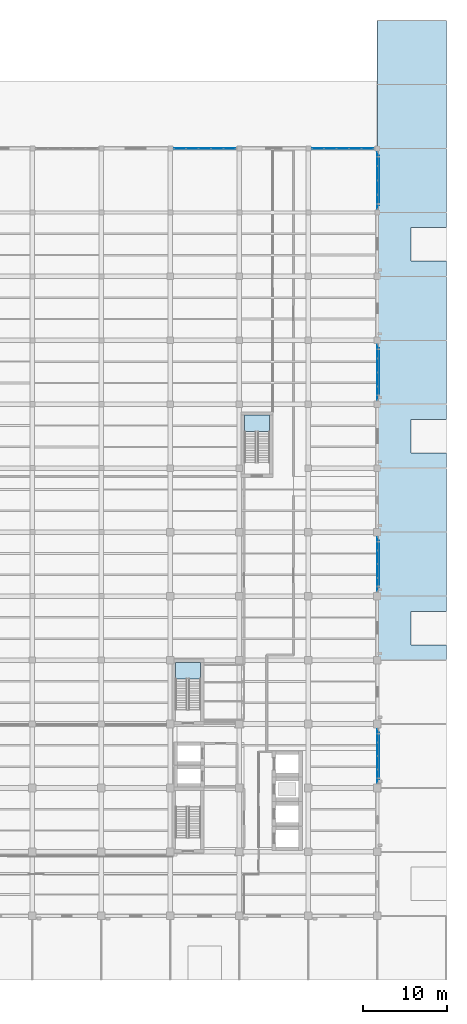
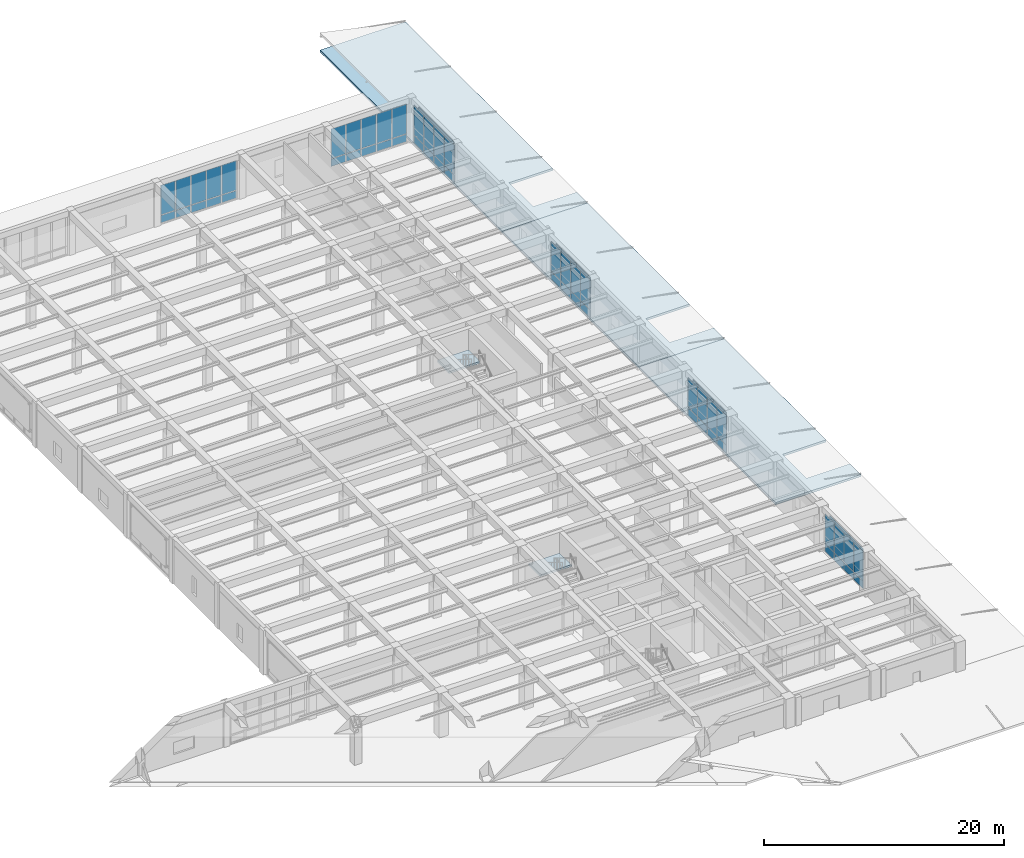
# One storey, part 35 of 57: 56 plates, 5 slabs, 8 elements without a shape of their own.
"""IFC4 building model written with IfcOpenShell, lengths in metres."""

from ifc_helpers import new_model, si_unit, direction, frame, origin, origin_2d, place, context, subcontext, project, spatial, polyline, rectangle, outline, extrude, material, layer, layer_set, type_object, element, aggregate, save


model = new_model("IFC4")

# Units and contexts
model_context = context("Model", 3, precision=1e-05, world=origin(), true_north=direction((0.0, 1.0)))
body_context = subcontext(model_context, "Body", "Model", "MODEL_VIEW")
ifc_project = project(units=[si_unit("LENGTHUNIT", "METRE"), si_unit("AREAUNIT", "SQUARE_METRE"), si_unit("VOLUMEUNIT", "CUBIC_METRE"), si_unit("PLANEANGLEUNIT", "RADIAN"), si_unit("MASSUNIT", "GRAM", prefix="KILO")], contexts=[model_context])

# Site, building, storey
site_placement = place(None, origin())
site = spatial("IfcSite", under=ifc_project, at=site_placement, CompositionType="ELEMENT")
building_placement = place(site_placement, origin())
building = spatial("IfcBuilding", under=site, at=building_placement, Name="Qandaris Square Conservatory and Botanical Centre", CompositionType="ELEMENT")
storey_placement = place(building_placement, frame((0.0, 0.0, 5.39990234375)))
storey = spatial("IfcBuildingStorey", under=building, at=storey_placement, Name="L01", CompositionType="ELEMENT", Elevation=5.39990234375)

# Curtain wall, plates
ifc_material_1 = material(Name="Anodised Aluminium", Category="aluminium")
curtain_wall_type_1 = type_object("IfcCurtainWallType", Name="Unitised Curtain Wall CW-4-650x394", PredefinedType="USERDEFINED", material=ifc_material_1)
curtain_wall_1_placement = place(storey_placement, origin())
curtain_wall_1 = element("IfcCurtainWall", 1, at=curtain_wall_1_placement, inside=storey, type_object=curtain_wall_type_1, Name="Curtain Wall CW-TWR-L01-2-3", ObjectType="GLAZED CURTAIN WALL", PredefinedType="USERDEFINED")
ifc_material_2 = material(Name="Tempered Low-E Glass", Category="glass")
ifc_layer_1 = layer(ifc_material_2, 0.035888671875)
ifc_layer_set_1 = layer_set([ifc_layer_1], Name="Tempered Low-E Glass")
plate_type_1 = type_object("IfcPlateType", Name="Double-Glazed Solar Control Vision Unit 36mm", PredefinedType="CURTAIN_PANEL", material=ifc_layer_set_1)
plate_1_placement = place(storey_placement, frame((163.800048828125, 33.1787109375, 0.065185546875), z_axis=(0.0, 0.0, 1.0), x_axis=(0.0, 1.0, 0.0)))
plate_1 = element("IfcPlate", 2, at=plate_1_placement, type_object=plate_type_1, Name="CW-4-650x394 panel 1.1", PredefinedType="CURTAIN_PANEL", context=body_context, shape_type="SweptSolid", body=[
    extrude(rectangle(XDim=1.527587890625, YDim=0.035888671875, at=origin_2d()), origin(), (0.0, 0.0, 1.0), 0.75244140625),
])
plate_2_placement = place(storey_placement, frame((163.800048828125, 33.1787109375, 0.882568359375), z_axis=(0.0, 0.0, 1.0), x_axis=(0.0, 1.0, 0.0)))
plate_2 = element("IfcPlate", 3, at=plate_2_placement, type_object=plate_type_1, Name="CW-4-650x394 panel 1.2", PredefinedType="CURTAIN_PANEL", context=body_context, shape_type="SweptSolid", body=[
    extrude(rectangle(XDim=1.527587890625, YDim=0.035888671875, at=origin_2d()), origin(), (0.0, 0.0, 1.0), 2.99755859375),
])
plate_3_placement = place(storey_placement, frame((163.800048828125, 34.78759765625, 0.065185546875), z_axis=(0.0, 0.0, 1.0), x_axis=(0.0, 1.0, 0.0)))
plate_3 = element("IfcPlate", 4, at=plate_3_placement, type_object=plate_type_1, Name="CW-4-650x394 panel 2.1", PredefinedType="CURTAIN_PANEL", context=body_context, shape_type="SweptSolid", body=[
    extrude(rectangle(XDim=1.56005859375, YDim=0.035888671875, at=origin_2d()), origin(), (0.0, 0.0, 1.0), 0.75244140625),
])
plate_4_placement = place(storey_placement, frame((163.800048828125, 34.78759765625, 0.882568359375), z_axis=(0.0, 0.0, 1.0), x_axis=(0.0, 1.0, 0.0)))
plate_4 = element("IfcPlate", 5, at=plate_4_placement, type_object=plate_type_1, Name="CW-4-650x394 panel 2.2", PredefinedType="CURTAIN_PANEL", context=body_context, shape_type="SweptSolid", body=[
    extrude(rectangle(XDim=1.56005859375, YDim=0.035888671875, at=origin_2d()), origin(), (0.0, 0.0, 1.0), 2.99755859375),
])
plate_5_placement = place(storey_placement, frame((163.800048828125, 36.41259765625, 0.065185546875), z_axis=(0.0, 0.0, 1.0), x_axis=(0.0, 1.0, 0.0)))
plate_5 = element("IfcPlate", 6, at=plate_5_placement, type_object=plate_type_1, Name="CW-4-650x394 panel 3.1", PredefinedType="CURTAIN_PANEL", context=body_context, shape_type="SweptSolid", body=[
    extrude(rectangle(XDim=1.56005859375, YDim=0.035888671875, at=origin_2d()), origin(), (0.0, 0.0, 1.0), 0.75244140625),
])
plate_6_placement = place(storey_placement, frame((163.800048828125, 36.41259765625, 0.882568359375), z_axis=(0.0, 0.0, 1.0), x_axis=(0.0, 1.0, 0.0)))
plate_6 = element("IfcPlate", 7, at=plate_6_placement, type_object=plate_type_1, Name="CW-4-650x394 panel 3.2", PredefinedType="CURTAIN_PANEL", context=body_context, shape_type="SweptSolid", body=[
    extrude(rectangle(XDim=1.56005859375, YDim=0.035888671875, at=origin_2d()), origin(), (0.0, 0.0, 1.0), 2.99755859375),
])
plate_7_placement = place(storey_placement, frame((163.800048828125, 38.021240234375, 0.065185546875), z_axis=(0.0, 0.0, 1.0), x_axis=(0.0, 1.0, 0.0)))
plate_7 = element("IfcPlate", 8, at=plate_7_placement, type_object=plate_type_1, Name="CW-4-650x394 panel 4.1", PredefinedType="CURTAIN_PANEL", context=body_context, shape_type="SweptSolid", body=[
    extrude(rectangle(XDim=1.527587890625, YDim=0.035888671875, at=origin_2d()), origin(), (0.0, 0.0, 1.0), 0.75244140625),
])
plate_8_placement = place(storey_placement, frame((163.800048828125, 38.021240234375, 0.882568359375), z_axis=(0.0, 0.0, 1.0), x_axis=(0.0, 1.0, 0.0)))
plate_8 = element("IfcPlate", 9, at=plate_8_placement, type_object=plate_type_1, Name="CW-4-650x394 panel 4.2", PredefinedType="CURTAIN_PANEL", context=body_context, shape_type="SweptSolid", body=[
    extrude(rectangle(XDim=1.527587890625, YDim=0.035888671875, at=origin_2d()), origin(), (0.0, 0.0, 1.0), 2.99755859375),
])
aggregate(curtain_wall_1, [plate_1, plate_2, plate_3, plate_4, plate_5, plate_6, plate_7, plate_8])

curtain_wall_2_placement = place(storey_placement, origin())
curtain_wall_2 = element("IfcCurtainWall", 10, at=curtain_wall_2_placement, inside=storey, type_object=curtain_wall_type_1, Name="Curtain Wall CW-TWR-L01-2-6", ObjectType="GLAZED CURTAIN WALL", PredefinedType="USERDEFINED")
plate_9_placement = place(storey_placement, frame((163.800048828125, 55.978759765625, 0.065185546875), z_axis=(0.0, 0.0, 1.0), x_axis=(0.0, 1.0, 0.0)))
plate_9 = element("IfcPlate", 11, at=plate_9_placement, type_object=plate_type_1, Name="CW-4-650x394 panel 1.1", PredefinedType="CURTAIN_PANEL", context=body_context, shape_type="SweptSolid", body=[
    extrude(rectangle(XDim=1.527587890625, YDim=0.035888671875, at=origin_2d()), origin(), (0.0, 0.0, 1.0), 0.75244140625),
])
plate_10_placement = place(storey_placement, frame((163.800048828125, 55.978759765625, 0.882568359375), z_axis=(0.0, 0.0, 1.0), x_axis=(0.0, 1.0, 0.0)))
plate_10 = element("IfcPlate", 12, at=plate_10_placement, type_object=plate_type_1, Name="CW-4-650x394 panel 1.2", PredefinedType="CURTAIN_PANEL", context=body_context, shape_type="SweptSolid", body=[
    extrude(rectangle(XDim=1.527587890625, YDim=0.035888671875, at=origin_2d()), origin(), (0.0, 0.0, 1.0), 2.99755859375),
])
plate_11_placement = place(storey_placement, frame((163.800048828125, 57.58740234375, 0.065185546875), z_axis=(0.0, 0.0, 1.0), x_axis=(0.0, 1.0, 0.0)))
plate_11 = element("IfcPlate", 13, at=plate_11_placement, type_object=plate_type_1, Name="CW-4-650x394 panel 2.1", PredefinedType="CURTAIN_PANEL", context=body_context, shape_type="SweptSolid", body=[
    extrude(rectangle(XDim=1.56005859375, YDim=0.035888671875, at=origin_2d()), origin(), (0.0, 0.0, 1.0), 0.75244140625),
])
plate_12_placement = place(storey_placement, frame((163.800048828125, 57.58740234375, 0.882568359375), z_axis=(0.0, 0.0, 1.0), x_axis=(0.0, 1.0, 0.0)))
plate_12 = element("IfcPlate", 14, at=plate_12_placement, type_object=plate_type_1, Name="CW-4-650x394 panel 2.2", PredefinedType="CURTAIN_PANEL", context=body_context, shape_type="SweptSolid", body=[
    extrude(rectangle(XDim=1.56005859375, YDim=0.035888671875, at=origin_2d()), origin(), (0.0, 0.0, 1.0), 2.99755859375),
])
plate_13_placement = place(storey_placement, frame((163.800048828125, 59.21240234375, 0.065185546875), z_axis=(0.0, 0.0, 1.0), x_axis=(0.0, 1.0, 0.0)))
plate_13 = element("IfcPlate", 15, at=plate_13_placement, type_object=plate_type_1, Name="CW-4-650x394 panel 3.1", PredefinedType="CURTAIN_PANEL", context=body_context, shape_type="SweptSolid", body=[
    extrude(rectangle(XDim=1.56005859375, YDim=0.035888671875, at=origin_2d()), origin(), (0.0, 0.0, 1.0), 0.75244140625),
])
plate_14_placement = place(storey_placement, frame((163.800048828125, 59.21240234375, 0.882568359375), z_axis=(0.0, 0.0, 1.0), x_axis=(0.0, 1.0, 0.0)))
plate_14 = element("IfcPlate", 16, at=plate_14_placement, type_object=plate_type_1, Name="CW-4-650x394 panel 3.2", PredefinedType="CURTAIN_PANEL", context=body_context, shape_type="SweptSolid", body=[
    extrude(rectangle(XDim=1.56005859375, YDim=0.035888671875, at=origin_2d()), origin(), (0.0, 0.0, 1.0), 2.99755859375),
])
plate_15_placement = place(storey_placement, frame((163.800048828125, 60.8212890625, 0.065185546875), z_axis=(0.0, 0.0, 1.0), x_axis=(0.0, 1.0, 0.0)))
plate_15 = element("IfcPlate", 17, at=plate_15_placement, type_object=plate_type_1, Name="CW-4-650x394 panel 4.1", PredefinedType="CURTAIN_PANEL", context=body_context, shape_type="SweptSolid", body=[
    extrude(rectangle(XDim=1.527587890625, YDim=0.035888671875, at=origin_2d()), origin(), (0.0, 0.0, 1.0), 0.75244140625),
])
plate_16_placement = place(storey_placement, frame((163.800048828125, 60.8212890625, 0.882568359375), z_axis=(0.0, 0.0, 1.0), x_axis=(0.0, 1.0, 0.0)))
plate_16 = element("IfcPlate", 18, at=plate_16_placement, type_object=plate_type_1, Name="CW-4-650x394 panel 4.2", PredefinedType="CURTAIN_PANEL", context=body_context, shape_type="SweptSolid", body=[
    extrude(rectangle(XDim=1.527587890625, YDim=0.035888671875, at=origin_2d()), origin(), (0.0, 0.0, 1.0), 2.99755859375),
])
aggregate(curtain_wall_2, [plate_9, plate_10, plate_11, plate_12, plate_13, plate_14, plate_15, plate_16])

curtain_wall_type_2 = type_object("IfcCurtainWallType", Name="Unitised Curtain Wall CW-4-665x394", PredefinedType="USERDEFINED", material=ifc_material_1)
curtain_wall_3_placement = place(storey_placement, origin())
curtain_wall_3 = element("IfcCurtainWall", 19, at=curtain_wall_3_placement, inside=storey, type_object=curtain_wall_type_2, Name="Curtain Wall CW-TWR-L01-2-9", ObjectType="GLAZED CURTAIN WALL", PredefinedType="USERDEFINED")
plate_17_placement = place(storey_placement, frame((163.800048828125, 78.722412109375, 0.065185546875), z_axis=(0.0, 0.0, 1.0), x_axis=(0.0, 1.0, 0.0)))
plate_17 = element("IfcPlate", 20, at=plate_17_placement, type_object=plate_type_1, Name="CW-4-665x394 panel 1.1", PredefinedType="CURTAIN_PANEL", context=body_context, shape_type="SweptSolid", body=[
    extrude(rectangle(XDim=1.56494140625, YDim=0.035888671875, at=origin_2d()), origin(), (0.0, 0.0, 1.0), 0.75244140625),
])
plate_18_placement = place(storey_placement, frame((163.800048828125, 78.722412109375, 0.882568359375), z_axis=(0.0, 0.0, 1.0), x_axis=(0.0, 1.0, 0.0)))
plate_18 = element("IfcPlate", 21, at=plate_18_placement, type_object=plate_type_1, Name="CW-4-665x394 panel 1.2", PredefinedType="CURTAIN_PANEL", context=body_context, shape_type="SweptSolid", body=[
    extrude(rectangle(XDim=1.56494140625, YDim=0.035888671875, at=origin_2d()), origin(), (0.0, 0.0, 1.0), 2.99755859375),
])
plate_19_placement = place(storey_placement, frame((163.800048828125, 80.36865234375, 0.065185546875), z_axis=(0.0, 0.0, 1.0), x_axis=(0.0, 1.0, 0.0)))
plate_19 = element("IfcPlate", 22, at=plate_19_placement, type_object=plate_type_1, Name="CW-4-665x394 panel 2.1", PredefinedType="CURTAIN_PANEL", context=body_context, shape_type="SweptSolid", body=[
    extrude(rectangle(XDim=1.597412109375, YDim=0.035888671875, at=origin_2d()), origin(), (0.0, 0.0, 1.0), 0.75244140625),
])
plate_20_placement = place(storey_placement, frame((163.800048828125, 80.36865234375, 0.882568359375), z_axis=(0.0, 0.0, 1.0), x_axis=(0.0, 1.0, 0.0)))
plate_20 = element("IfcPlate", 23, at=plate_20_placement, type_object=plate_type_1, Name="CW-4-665x394 panel 2.2", PredefinedType="CURTAIN_PANEL", context=body_context, shape_type="SweptSolid", body=[
    extrude(rectangle(XDim=1.597412109375, YDim=0.035888671875, at=origin_2d()), origin(), (0.0, 0.0, 1.0), 2.99755859375),
])
plate_21_placement = place(storey_placement, frame((163.800048828125, 82.03125, 0.065185546875), z_axis=(0.0, 0.0, 1.0), x_axis=(0.0, 1.0, 0.0)))
plate_21 = element("IfcPlate", 24, at=plate_21_placement, type_object=plate_type_1, Name="CW-4-665x394 panel 3.1", PredefinedType="CURTAIN_PANEL", context=body_context, shape_type="SweptSolid", body=[
    extrude(rectangle(XDim=1.597412109375, YDim=0.035888671875, at=origin_2d()), origin(), (0.0, 0.0, 1.0), 0.75244140625),
])
plate_22_placement = place(storey_placement, frame((163.800048828125, 82.03125, 0.882568359375), z_axis=(0.0, 0.0, 1.0), x_axis=(0.0, 1.0, 0.0)))
plate_22 = element("IfcPlate", 25, at=plate_22_placement, type_object=plate_type_1, Name="CW-4-665x394 panel 3.2", PredefinedType="CURTAIN_PANEL", context=body_context, shape_type="SweptSolid", body=[
    extrude(rectangle(XDim=1.597412109375, YDim=0.035888671875, at=origin_2d()), origin(), (0.0, 0.0, 1.0), 2.99755859375),
])
plate_23_placement = place(storey_placement, frame((163.800048828125, 83.677490234375, 0.065185546875), z_axis=(0.0, 0.0, 1.0), x_axis=(0.0, 1.0, 0.0)))
plate_23 = element("IfcPlate", 26, at=plate_23_placement, type_object=plate_type_1, Name="CW-4-665x394 panel 4.1", PredefinedType="CURTAIN_PANEL", context=body_context, shape_type="SweptSolid", body=[
    extrude(rectangle(XDim=1.56494140625, YDim=0.035888671875, at=origin_2d()), origin(), (0.0, 0.0, 1.0), 0.75244140625),
])
plate_24_placement = place(storey_placement, frame((163.800048828125, 83.677490234375, 0.882568359375), z_axis=(0.0, 0.0, 1.0), x_axis=(0.0, 1.0, 0.0)))
plate_24 = element("IfcPlate", 27, at=plate_24_placement, type_object=plate_type_1, Name="CW-4-665x394 panel 4.2", PredefinedType="CURTAIN_PANEL", context=body_context, shape_type="SweptSolid", body=[
    extrude(rectangle(XDim=1.56494140625, YDim=0.035888671875, at=origin_2d()), origin(), (0.0, 0.0, 1.0), 2.99755859375),
])
aggregate(curtain_wall_3, [plate_17, plate_18, plate_19, plate_20, plate_21, plate_22, plate_23, plate_24])

curtain_wall_type_3 = type_object("IfcCurtainWallType", Name="Unitised Curtain Wall CW-4-680x394", PredefinedType="USERDEFINED", material=ifc_material_1)
curtain_wall_4_placement = place(storey_placement, origin())
curtain_wall_4 = element("IfcCurtainWall", 28, at=curtain_wall_4_placement, inside=storey, type_object=curtain_wall_type_3, Name="Curtain Wall CW-TWR-L01-2-12", ObjectType="GLAZED CURTAIN WALL", PredefinedType="USERDEFINED")
plate_25_placement = place(storey_placement, frame((163.800048828125, 101.46630859375, 0.065185546875), z_axis=(0.0, 0.0, 1.0), x_axis=(0.0, 1.0, 0.0)))
plate_25 = element("IfcPlate", 29, at=plate_25_placement, type_object=plate_type_1, Name="CW-4-680x394 panel 1.1", PredefinedType="CURTAIN_PANEL", context=body_context, shape_type="SweptSolid", body=[
    extrude(rectangle(XDim=1.6025390625, YDim=0.035888671875, at=origin_2d()), origin(), (0.0, 0.0, 1.0), 0.75244140625),
])
plate_26_placement = place(storey_placement, frame((163.800048828125, 101.46630859375, 0.882568359375), z_axis=(0.0, 0.0, 1.0), x_axis=(0.0, 1.0, 0.0)))
plate_26 = element("IfcPlate", 30, at=plate_26_placement, type_object=plate_type_1, Name="CW-4-680x394 panel 1.2", PredefinedType="CURTAIN_PANEL", context=body_context, shape_type="SweptSolid", body=[
    extrude(rectangle(XDim=1.6025390625, YDim=0.035888671875, at=origin_2d()), origin(), (0.0, 0.0, 1.0), 2.99755859375),
])
plate_27_placement = place(storey_placement, frame((163.800048828125, 103.14990234375, 0.065185546875), z_axis=(0.0, 0.0, 1.0), x_axis=(0.0, 1.0, 0.0)))
plate_27 = element("IfcPlate", 31, at=plate_27_placement, type_object=plate_type_1, Name="CW-4-680x394 panel 2.1", PredefinedType="CURTAIN_PANEL", context=body_context, shape_type="SweptSolid", body=[
    extrude(rectangle(XDim=1.635009765625, YDim=0.035888671875, at=origin_2d()), origin(), (0.0, 0.0, 1.0), 0.75244140625),
])
plate_28_placement = place(storey_placement, frame((163.800048828125, 103.14990234375, 0.882568359375), z_axis=(0.0, 0.0, 1.0), x_axis=(0.0, 1.0, 0.0)))
plate_28 = element("IfcPlate", 32, at=plate_28_placement, type_object=plate_type_1, Name="CW-4-680x394 panel 2.2", PredefinedType="CURTAIN_PANEL", context=body_context, shape_type="SweptSolid", body=[
    extrude(rectangle(XDim=1.635009765625, YDim=0.035888671875, at=origin_2d()), origin(), (0.0, 0.0, 1.0), 2.99755859375),
])
plate_29_placement = place(storey_placement, frame((163.800048828125, 104.85009765625, 0.065185546875), z_axis=(0.0, 0.0, 1.0), x_axis=(0.0, 1.0, 0.0)))
plate_29 = element("IfcPlate", 33, at=plate_29_placement, type_object=plate_type_1, Name="CW-4-680x394 panel 3.1", PredefinedType="CURTAIN_PANEL", context=body_context, shape_type="SweptSolid", body=[
    extrude(rectangle(XDim=1.635009765625, YDim=0.035888671875, at=origin_2d()), origin(), (0.0, 0.0, 1.0), 0.75244140625),
])
plate_30_placement = place(storey_placement, frame((163.800048828125, 104.85009765625, 0.882568359375), z_axis=(0.0, 0.0, 1.0), x_axis=(0.0, 1.0, 0.0)))
plate_30 = element("IfcPlate", 34, at=plate_30_placement, type_object=plate_type_1, Name="CW-4-680x394 panel 3.2", PredefinedType="CURTAIN_PANEL", context=body_context, shape_type="SweptSolid", body=[
    extrude(rectangle(XDim=1.635009765625, YDim=0.035888671875, at=origin_2d()), origin(), (0.0, 0.0, 1.0), 2.99755859375),
])
plate_31_placement = place(storey_placement, frame((163.800048828125, 106.53369140625, 0.065185546875), z_axis=(0.0, 0.0, 1.0), x_axis=(0.0, 1.0, 0.0)))
plate_31 = element("IfcPlate", 35, at=plate_31_placement, type_object=plate_type_1, Name="CW-4-680x394 panel 4.1", PredefinedType="CURTAIN_PANEL", context=body_context, shape_type="SweptSolid", body=[
    extrude(rectangle(XDim=1.6025390625, YDim=0.035888671875, at=origin_2d()), origin(), (0.0, 0.0, 1.0), 0.75244140625),
])
plate_32_placement = place(storey_placement, frame((163.800048828125, 106.53369140625, 0.882568359375), z_axis=(0.0, 0.0, 1.0), x_axis=(0.0, 1.0, 0.0)))
plate_32 = element("IfcPlate", 36, at=plate_32_placement, type_object=plate_type_1, Name="CW-4-680x394 panel 4.2", PredefinedType="CURTAIN_PANEL", context=body_context, shape_type="SweptSolid", body=[
    extrude(rectangle(XDim=1.6025390625, YDim=0.035888671875, at=origin_2d()), origin(), (0.0, 0.0, 1.0), 2.99755859375),
])
aggregate(curtain_wall_4, [plate_25, plate_26, plate_27, plate_28, plate_29, plate_30, plate_31, plate_32])

curtain_wall_type_4 = type_object("IfcCurtainWallType", Name="Unitised Curtain Wall CW-3-740x394", PredefinedType="USERDEFINED", material=ifc_material_1)
curtain_wall_5_placement = place(storey_placement, origin())
curtain_wall_5 = element("IfcCurtainWall", 37, at=curtain_wall_5_placement, inside=storey, type_object=curtain_wall_type_4, Name="Curtain Wall CW-TWR-L01-3-1", ObjectType="GLAZED CURTAIN WALL", PredefinedType="USERDEFINED")
plate_33_placement = place(storey_placement, frame((162.643798828125, 107.800048828125, 0.065185546875), z_axis=(0.0, 0.0, 1.0), x_axis=(-1.0, 0.0, 0.0)))
plate_33 = element("IfcPlate", 38, at=plate_33_placement, type_object=plate_type_1, Name="CW-3-740x394 panel 1.1", PredefinedType="CURTAIN_PANEL", context=body_context, shape_type="SweptSolid", body=[
    extrude(rectangle(XDim=1.382568359375, YDim=0.035888671875, at=origin_2d()), origin(), (0.0, 0.0, 1.0), 0.75244140625),
])
plate_34_placement = place(storey_placement, frame((162.643798828125, 107.800048828125, 0.882568359375), z_axis=(0.0, 0.0, 1.0), x_axis=(-1.0, 0.0, 0.0)))
plate_34 = element("IfcPlate", 39, at=plate_34_placement, type_object=plate_type_1, Name="CW-3-740x394 panel 1.2", PredefinedType="CURTAIN_PANEL", context=body_context, shape_type="SweptSolid", body=[
    extrude(rectangle(XDim=1.382568359375, YDim=0.035888671875, at=origin_2d()), origin(), (0.0, 0.0, 1.0), 2.99755859375),
])
plate_35_placement = place(storey_placement, frame((161.179931640625, 107.800048828125, 0.065185546875), z_axis=(0.0, 0.0, 1.0), x_axis=(-1.0, 0.0, 0.0)))
plate_35 = element("IfcPlate", 40, at=plate_35_placement, type_object=plate_type_1, Name="CW-3-740x394 panel 2.1", PredefinedType="CURTAIN_PANEL", context=body_context, shape_type="SweptSolid", body=[
    extrude(rectangle(XDim=1.4150390625, YDim=0.035888671875, at=origin_2d()), origin(), (0.0, 0.0, 1.0), 0.75244140625),
])
plate_36_placement = place(storey_placement, frame((161.179931640625, 107.800048828125, 0.882568359375), z_axis=(0.0, 0.0, 1.0), x_axis=(-1.0, 0.0, 0.0)))
plate_36 = element("IfcPlate", 41, at=plate_36_placement, type_object=plate_type_1, Name="CW-3-740x394 panel 2.2", PredefinedType="CURTAIN_PANEL", context=body_context, shape_type="SweptSolid", body=[
    extrude(rectangle(XDim=1.4150390625, YDim=0.035888671875, at=origin_2d()), origin(), (0.0, 0.0, 1.0), 2.99755859375),
])
plate_37_placement = place(storey_placement, frame((159.699951171875, 107.800048828125, 0.065185546875), z_axis=(0.0, 0.0, 1.0), x_axis=(-1.0, 0.0, 0.0)))
plate_37 = element("IfcPlate", 42, at=plate_37_placement, type_object=plate_type_1, Name="CW-3-740x394 panel 3.1", PredefinedType="CURTAIN_PANEL", context=body_context, shape_type="SweptSolid", body=[
    extrude(rectangle(XDim=1.4150390625, YDim=0.035888671875, at=origin_2d()), origin(), (0.0, 0.0, 1.0), 0.75244140625),
])
plate_38_placement = place(storey_placement, frame((159.699951171875, 107.800048828125, 0.882568359375), z_axis=(0.0, 0.0, 1.0), x_axis=(-1.0, 0.0, 0.0)))
plate_38 = element("IfcPlate", 43, at=plate_38_placement, type_object=plate_type_1, Name="CW-3-740x394 panel 3.2", PredefinedType="CURTAIN_PANEL", context=body_context, shape_type="SweptSolid", body=[
    extrude(rectangle(XDim=1.4150390625, YDim=0.035888671875, at=origin_2d()), origin(), (0.0, 0.0, 1.0), 2.99755859375),
])
plate_39_placement = place(storey_placement, frame((158.219970703125, 107.800048828125, 0.065185546875), z_axis=(0.0, 0.0, 1.0), x_axis=(-1.0, 0.0, 0.0)))
plate_39 = element("IfcPlate", 44, at=plate_39_placement, type_object=plate_type_1, Name="CW-3-740x394 panel 4.1", PredefinedType="CURTAIN_PANEL", context=body_context, shape_type="SweptSolid", body=[
    extrude(rectangle(XDim=1.4150390625, YDim=0.035888671875, at=origin_2d()), origin(), (0.0, 0.0, 1.0), 0.75244140625),
])
plate_40_placement = place(storey_placement, frame((158.219970703125, 107.800048828125, 0.882568359375), z_axis=(0.0, 0.0, 1.0), x_axis=(-1.0, 0.0, 0.0)))
plate_40 = element("IfcPlate", 45, at=plate_40_placement, type_object=plate_type_1, Name="CW-3-740x394 panel 4.2", PredefinedType="CURTAIN_PANEL", context=body_context, shape_type="SweptSolid", body=[
    extrude(rectangle(XDim=1.4150390625, YDim=0.035888671875, at=origin_2d()), origin(), (0.0, 0.0, 1.0), 2.99755859375),
])
plate_41_placement = place(storey_placement, frame((156.75634765625, 107.800048828125, 0.065185546875), z_axis=(0.0, 0.0, 1.0), x_axis=(-1.0, 0.0, 0.0)))
plate_41 = element("IfcPlate", 46, at=plate_41_placement, type_object=plate_type_1, Name="CW-3-740x394 panel 5.1", PredefinedType="CURTAIN_PANEL", context=body_context, shape_type="SweptSolid", body=[
    extrude(rectangle(XDim=1.382568359375, YDim=0.035888671875, at=origin_2d()), origin(), (0.0, 0.0, 1.0), 0.75244140625),
])
plate_42_placement = place(storey_placement, frame((156.75634765625, 107.800048828125, 0.882568359375), z_axis=(0.0, 0.0, 1.0), x_axis=(-1.0, 0.0, 0.0)))
plate_42 = element("IfcPlate", 47, at=plate_42_placement, type_object=plate_type_1, Name="CW-3-740x394 panel 5.2", PredefinedType="CURTAIN_PANEL", context=body_context, shape_type="SweptSolid", body=[
    extrude(rectangle(XDim=1.382568359375, YDim=0.035888671875, at=origin_2d()), origin(), (0.0, 0.0, 1.0), 2.99755859375),
])
aggregate(curtain_wall_5, [plate_33, plate_34, plate_35, plate_36, plate_37, plate_38, plate_39, plate_40, plate_41, plate_42])

curtain_wall_6_placement = place(storey_placement, origin())
curtain_wall_6 = element("IfcCurtainWall", 48, at=curtain_wall_6_placement, inside=storey, type_object=curtain_wall_type_4, Name="Curtain Wall CW-TWR-L01-3-3", ObjectType="GLAZED CURTAIN WALL", PredefinedType="USERDEFINED")
plate_43_placement = place(storey_placement, frame((146.24365234375, 107.800048828125, 0.065185546875), z_axis=(0.0, 0.0, 1.0), x_axis=(-1.0, 0.0, 0.0)))
plate_43 = element("IfcPlate", 49, at=plate_43_placement, type_object=plate_type_1, Name="CW-3-740x394 panel 1.1", PredefinedType="CURTAIN_PANEL", context=body_context, shape_type="SweptSolid", body=[
    extrude(rectangle(XDim=1.382568359375, YDim=0.035888671875, at=origin_2d()), origin(), (0.0, 0.0, 1.0), 0.75244140625),
])
plate_44_placement = place(storey_placement, frame((146.24365234375, 107.800048828125, 0.882568359375), z_axis=(0.0, 0.0, 1.0), x_axis=(-1.0, 0.0, 0.0)))
plate_44 = element("IfcPlate", 50, at=plate_44_placement, type_object=plate_type_1, Name="CW-3-740x394 panel 1.2", PredefinedType="CURTAIN_PANEL", context=body_context, shape_type="SweptSolid", body=[
    extrude(rectangle(XDim=1.382568359375, YDim=0.035888671875, at=origin_2d()), origin(), (0.0, 0.0, 1.0), 2.99755859375),
])
plate_45_placement = place(storey_placement, frame((144.780029296875, 107.800048828125, 0.065185546875), z_axis=(0.0, 0.0, 1.0), x_axis=(-1.0, 0.0, 0.0)))
plate_45 = element("IfcPlate", 51, at=plate_45_placement, type_object=plate_type_1, Name="CW-3-740x394 panel 2.1", PredefinedType="CURTAIN_PANEL", context=body_context, shape_type="SweptSolid", body=[
    extrude(rectangle(XDim=1.4150390625, YDim=0.035888671875, at=origin_2d()), origin(), (0.0, 0.0, 1.0), 0.75244140625),
])
plate_46_placement = place(storey_placement, frame((144.780029296875, 107.800048828125, 0.882568359375), z_axis=(0.0, 0.0, 1.0), x_axis=(-1.0, 0.0, 0.0)))
plate_46 = element("IfcPlate", 52, at=plate_46_placement, type_object=plate_type_1, Name="CW-3-740x394 panel 2.2", PredefinedType="CURTAIN_PANEL", context=body_context, shape_type="SweptSolid", body=[
    extrude(rectangle(XDim=1.4150390625, YDim=0.035888671875, at=origin_2d()), origin(), (0.0, 0.0, 1.0), 2.99755859375),
])
plate_47_placement = place(storey_placement, frame((143.300048828125, 107.800048828125, 0.065185546875), z_axis=(0.0, 0.0, 1.0), x_axis=(-1.0, 0.0, 0.0)))
plate_47 = element("IfcPlate", 53, at=plate_47_placement, type_object=plate_type_1, Name="CW-3-740x394 panel 3.1", PredefinedType="CURTAIN_PANEL", context=body_context, shape_type="SweptSolid", body=[
    extrude(rectangle(XDim=1.4150390625, YDim=0.035888671875, at=origin_2d()), origin(), (0.0, 0.0, 1.0), 0.75244140625),
])
plate_48_placement = place(storey_placement, frame((143.300048828125, 107.800048828125, 0.882568359375), z_axis=(0.0, 0.0, 1.0), x_axis=(-1.0, 0.0, 0.0)))
plate_48 = element("IfcPlate", 54, at=plate_48_placement, type_object=plate_type_1, Name="CW-3-740x394 panel 3.2", PredefinedType="CURTAIN_PANEL", context=body_context, shape_type="SweptSolid", body=[
    extrude(rectangle(XDim=1.4150390625, YDim=0.035888671875, at=origin_2d()), origin(), (0.0, 0.0, 1.0), 2.99755859375),
])
plate_49_placement = place(storey_placement, frame((141.820068359375, 107.800048828125, 0.065185546875), z_axis=(0.0, 0.0, 1.0), x_axis=(-1.0, 0.0, 0.0)))
plate_49 = element("IfcPlate", 55, at=plate_49_placement, type_object=plate_type_1, Name="CW-3-740x394 panel 4.1", PredefinedType="CURTAIN_PANEL", context=body_context, shape_type="SweptSolid", body=[
    extrude(rectangle(XDim=1.4150390625, YDim=0.035888671875, at=origin_2d()), origin(), (0.0, 0.0, 1.0), 0.75244140625),
])
plate_50_placement = place(storey_placement, frame((141.820068359375, 107.800048828125, 0.882568359375), z_axis=(0.0, 0.0, 1.0), x_axis=(-1.0, 0.0, 0.0)))
plate_50 = element("IfcPlate", 56, at=plate_50_placement, type_object=plate_type_1, Name="CW-3-740x394 panel 4.2", PredefinedType="CURTAIN_PANEL", context=body_context, shape_type="SweptSolid", body=[
    extrude(rectangle(XDim=1.4150390625, YDim=0.035888671875, at=origin_2d()), origin(), (0.0, 0.0, 1.0), 2.99755859375),
])
plate_51_placement = place(storey_placement, frame((140.356201171875, 107.800048828125, 0.065185546875), z_axis=(0.0, 0.0, 1.0), x_axis=(-1.0, 0.0, 0.0)))
plate_51 = element("IfcPlate", 57, at=plate_51_placement, type_object=plate_type_1, Name="CW-3-740x394 panel 5.1", PredefinedType="CURTAIN_PANEL", context=body_context, shape_type="SweptSolid", body=[
    extrude(rectangle(XDim=1.382568359375, YDim=0.035888671875, at=origin_2d()), origin(), (0.0, 0.0, 1.0), 0.75244140625),
])
plate_52_placement = place(storey_placement, frame((140.356201171875, 107.800048828125, 0.882568359375), z_axis=(0.0, 0.0, 1.0), x_axis=(-1.0, 0.0, 0.0)))
plate_52 = element("IfcPlate", 58, at=plate_52_placement, type_object=plate_type_1, Name="CW-3-740x394 panel 5.2", PredefinedType="CURTAIN_PANEL", context=body_context, shape_type="SweptSolid", body=[
    extrude(rectangle(XDim=1.382568359375, YDim=0.035888671875, at=origin_2d()), origin(), (0.0, 0.0, 1.0), 2.99755859375),
])
aggregate(curtain_wall_6, [plate_43, plate_44, plate_45, plate_46, plate_47, plate_48, plate_49, plate_50, plate_51, plate_52])

# Plates
ifc_material_3 = material(Name="Weathering Bronze Alloy", Category="metal")
ifc_layer_2 = layer(ifc_material_3, 0.044921875)
ifc_layer_set_2 = layer_set([ifc_layer_2], Name="Weathering Bronze Alloy")
plate_type_2 = type_object("IfcPlateType", Name="Perforated Bronze Mashrabiya Solar Screen Panel", PredefinedType="USERDEFINED", material=ifc_layer_set_2)
for number, where, z_axis, x_axis, name in (
    (59, (164.02001953125, 35.60009765625, 0.880126953125), (0.0, 0.0, 1.0), (0.0, 1.0, 0.0), "Mashrabiya Solar Screen CW-TWR-L01-2-3"),
    (60, (164.02001953125, 58.39990234375, 0.880126953125), (0.0, 0.0, 1.0), (0.0, 1.0, 0.0), "Mashrabiya Solar Screen CW-TWR-L01-2-6"),
):
    element("IfcPlate", number, at=place(storey_placement, frame(where, z_axis=z_axis, x_axis=x_axis)), inside=storey, type_object=plate_type_2, Name=name, ObjectType="SOLAR SCREEN", PredefinedType="USERDEFINED", context=body_context, shape_type="SweptSolid", body=[
        extrude(rectangle(XDim=5.5400390625, YDim=0.044921875, at=origin_2d()), origin(), (0.0, 0.0, 1.0), 2.97509765625),
    ])
plate_53_placement = place(storey_placement, frame((164.02001953125, 81.199951171875, 0.880126953125), z_axis=(0.0, 0.0, 1.0), x_axis=(0.0, 1.0, 0.0)))
element("IfcPlate", 61, at=plate_53_placement, inside=storey, type_object=plate_type_2, Name="Mashrabiya Solar Screen CW-TWR-L01-2-9", ObjectType="SOLAR SCREEN", PredefinedType="USERDEFINED", context=body_context, shape_type="SweptSolid", body=[
    extrude(rectangle(XDim=5.68994140625, YDim=0.044921875, at=origin_2d()), origin(), (0.0, 0.0, 1.0), 2.97509765625),
])
plate_54_placement = place(storey_placement, frame((164.02001953125, 104.0, 0.880126953125), z_axis=(0.0, 0.0, 1.0), x_axis=(0.0, 1.0, 0.0)))
element("IfcPlate", 62, at=plate_54_placement, inside=storey, type_object=plate_type_2, Name="Mashrabiya Solar Screen CW-TWR-L01-2-12", ObjectType="SOLAR SCREEN", PredefinedType="USERDEFINED", context=body_context, shape_type="SweptSolid", body=[
    extrude(rectangle(XDim=5.840087890625, YDim=0.044921875, at=origin_2d()), origin(), (0.0, 0.0, 1.0), 2.97509765625),
])

# Slabs
ifc_material_4 = material(Name="Concrete C40/50", Category="concrete")
ifc_layer_3 = layer(ifc_material_4, 0.22509765625)
ifc_layer_set_3 = layer_set([ifc_layer_3], Name="Concrete C40/50")
slab_type_1 = type_object("IfcSlabType", Name="RC Flat Roof Slab 225mm", PredefinedType="ROOF", material=ifc_layer_set_3)
slab_1_placement = place(storey_placement, frame((0.0, 0.0, -0.224853515625)))
element("IfcSlab", 63, at=slab_1_placement, inside=storey, type_object=slab_type_1, Name="Square Colonnade Structural Canopy Deck COLE-2", PredefinedType="ROOF", context=body_context, shape_type="SweptSolid", body=[
    extrude(outline(polyline([(172.0, 47.0), (163.800048828125, 47.0), (163.800048828125, 69.800048828125), (172.0, 69.800048828125), (172.0, 52.800048828125), (167.800048828125, 52.800048828125), (167.800048828125, 48.800048828125), (172.0, 48.800048828125), (172.0, 47.0)])), origin(), (0.0, 0.0, 1.0), 0.224853515625),
])
slab_2_placement = place(storey_placement, frame((0.0, 0.0, -0.224853515625)))
element("IfcSlab", 64, at=slab_2_placement, inside=storey, type_object=slab_type_1, Name="Square Colonnade Structural Canopy Deck COLE-3", PredefinedType="ROOF", context=body_context, shape_type="SweptSolid", body=[
    extrude(outline(polyline([(172.0, 69.800048828125), (163.800048828125, 69.800048828125), (163.800048828125, 92.60009765625), (172.0, 92.60009765625), (172.0, 75.60009765625), (167.800048828125, 75.60009765625), (167.800048828125, 71.60009765625), (172.0, 71.60009765625), (172.0, 69.800048828125)])), origin(), (0.0, 0.0, 1.0), 0.224853515625),
])
slab_3_placement = place(storey_placement, frame((0.0, 0.0, -0.224853515625)))
element("IfcSlab", 65, at=slab_3_placement, inside=storey, type_object=slab_type_1, Name="Square Colonnade Structural Canopy Deck COLE-4", PredefinedType="ROOF", context=body_context, shape_type="SweptSolid", body=[
    extrude(outline(polyline([(172.0, 92.60009765625), (163.800048828125, 92.60009765625), (163.800048828125, 123.0), (172.0, 123.0), (172.0, 98.39990234375), (167.800048828125, 98.39990234375), (167.800048828125, 94.39990234375), (172.0, 94.39990234375), (172.0, 92.60009765625)])), origin(), (0.0, 0.0, 1.0), 0.224853515625),
])

# Stair, slab
stair_type = type_object("IfcStairType", Name="Core Escape Scissor Stair", PredefinedType="HALF_TURN_STAIR", material=ifc_material_4)
stair_1_placement = place(storey_placement, origin())
stair_1 = element("IfcStair", 66, at=stair_1_placement, inside=storey, type_object=stair_type, Name="L01 Tower North Exit Stair ST-2", PredefinedType="HALF_TURN_STAIR")
ifc_layer_4 = layer(ifc_material_4, 0.219970703125)
ifc_layer_set_4 = layer_set([ifc_layer_4], Name="Concrete C40/50")
slab_type_2 = type_object("IfcSlabType", Name="RC Stair Half-Landing Slab 220mm", PredefinedType="LANDING", material=ifc_layer_set_4)
slab_4_placement = place(storey_placement, frame((0.0, 0.0, 2.2001953125)))
slab_4 = element("IfcSlab", 67, at=slab_4_placement, type_object=slab_type_2, Name="ST-2 landing 1", PredefinedType="LANDING", context=body_context, shape_type="SweptSolid", body=[
    extrude(outline(polyline([(142.800048828125, 44.739990234375), (142.800048828125, 46.699951171875), (139.800048828125, 46.699951171875), (139.800048828125, 44.739990234375), (142.800048828125, 44.739990234375)])), origin(), (0.0, 0.0, 1.0), 0.199951171875),
])
aggregate(stair_1, [slab_4])

stair_2_placement = place(storey_placement, origin())
stair_2 = element("IfcStair", 68, at=stair_2_placement, inside=storey, type_object=stair_type, Name="L01 Herbarium North Exit Stair ST-3", PredefinedType="HALF_TURN_STAIR")
slab_5_placement = place(storey_placement, frame((0.0, 0.0, 2.2001953125)))
slab_5 = element("IfcSlab", 69, at=slab_5_placement, type_object=slab_type_2, Name="ST-3 landing 1", PredefinedType="LANDING", context=body_context, shape_type="SweptSolid", body=[
    extrude(outline(polyline([(151.0, 74.139892578125), (151.0, 76.10009765625), (148.0, 76.10009765625), (148.0, 74.139892578125), (151.0, 74.139892578125)])), origin(), (0.0, 0.0, 1.0), 0.199951171875),
])
aggregate(stair_2, [slab_5])

save(model, "model.ifc")
